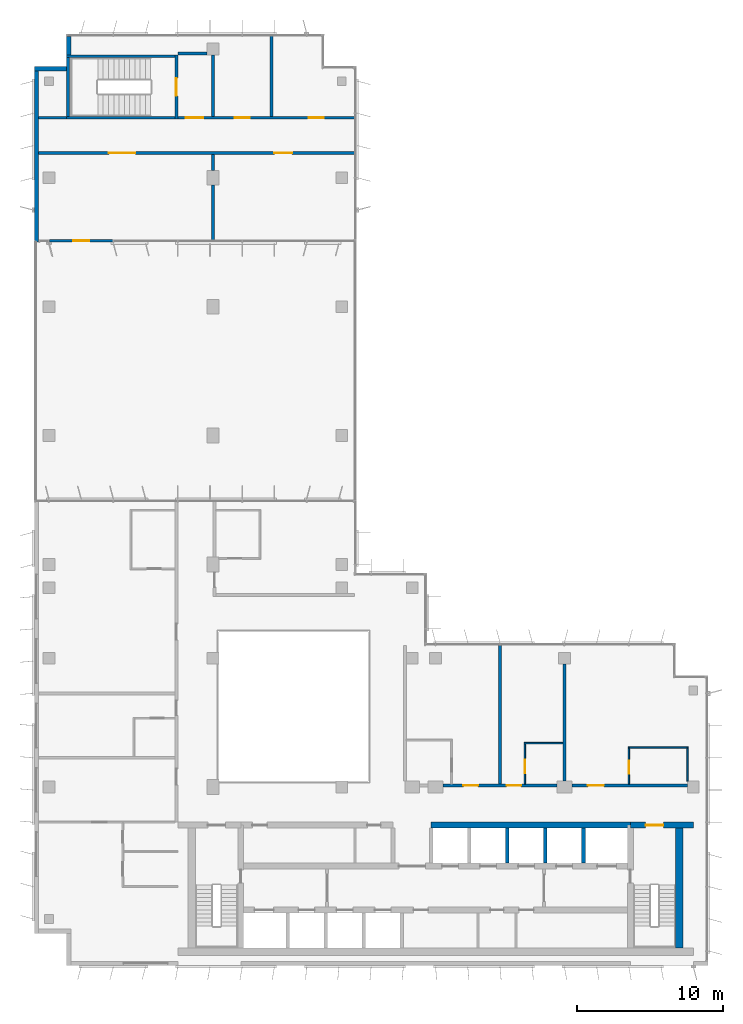
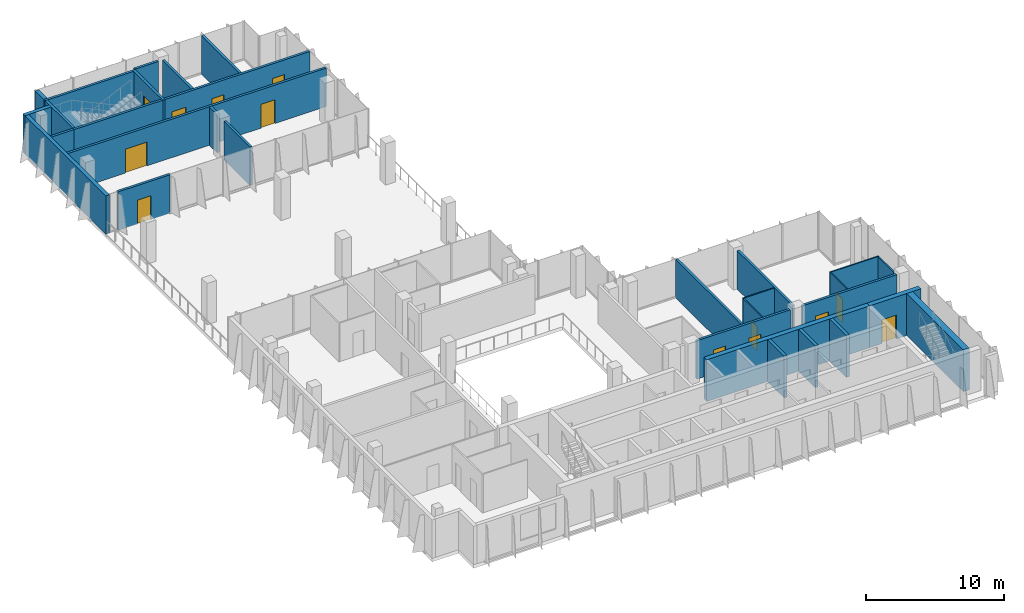
# One storey, part 11 of 15: 31 walls, 13 doors, 13 openings.
"""IFC4 building model written with IfcOpenShell, lengths in metres."""

from ifc_helpers import new_model, si_unit, direction, frame, frame_2d, origin, place, context, subcontext, project, spatial, rectangle, extrude, material, layer, layer_set, type_object, element, fill, save


model = new_model("IFC4")

# Units and contexts
model_context = context("Model", 3, precision=1e-05, world=origin(), true_north=direction((0.0, 1.0)))
body_context = subcontext(model_context, "Body", "Model", "MODEL_VIEW")
ifc_project = project(units=[si_unit("LENGTHUNIT", "METRE"), si_unit("AREAUNIT", "SQUARE_METRE"), si_unit("VOLUMEUNIT", "CUBIC_METRE"), si_unit("PLANEANGLEUNIT", "RADIAN"), si_unit("MASSUNIT", "GRAM", prefix="KILO")], contexts=[model_context])

# Site, building, storey
site_placement = place(None, origin())
site = spatial("IfcSite", under=ifc_project, at=site_placement, CompositionType="ELEMENT")
building_placement = place(site_placement, origin())
building = spatial("IfcBuilding", under=site, at=building_placement, Name="Kemantara Hotel Tower", CompositionType="ELEMENT")
storey_placement = place(building_placement, frame((0.0, 0.0, 241.300048828125)))
storey = spatial("IfcBuildingStorey", under=building, at=storey_placement, Name="L60", CompositionType="ELEMENT", Elevation=241.300048828125)

# Walls
ifc_material_1 = material(Name="Bronze anodised aluminium cladding on insulated steel stud wall", Category="steel")
ifc_layer_1 = layer(ifc_material_1, 0.300048828125)
ifc_layer_set_1 = layer_set([ifc_layer_1], Name="Bronze anodised aluminium cladding on insulated steel stud wall")
wall_type_1 = type_object("IfcWallType", Name="BRONZE METAL-CLAD EXTERNAL WALL 300", PredefinedType="STANDARD", material=ifc_layer_set_1)
wall_1_placement = place(storey_placement, frame((2.35009765625, 63.449951171875, 0.0), z_axis=(0.0, 0.0, 1.0), x_axis=(0.0, -1.0, 0.0)))
element("IfcWall", 1, at=wall_1_placement, inside=storey, type_object=wall_type_1, Name="EXTERNAL WALL L60 T4P-R17", PredefinedType="STANDARD", context=body_context, shape_type="SweptSolid", body=[
    extrude(rectangle(XDim=1.25, YDim=0.300048828125, at=frame_2d((0.625, 0.0))), origin(), (0.0, 0.0, 1.0), 3.39990234375),
])
wall_2_placement = place(storey_placement, frame((2.199951171875, 61.25, 0.0), z_axis=(0.0, 0.0, 1.0), x_axis=(-1.0, 0.0, 0.0)))
element("IfcWall", 2, at=wall_2_placement, inside=storey, type_object=wall_type_1, Name="EXTERNAL WALL L60 T4P-R18", PredefinedType="STANDARD", context=body_context, shape_type="SweptSolid", body=[
    extrude(rectangle(XDim=2.199951171875, YDim=0.300048828125, at=frame_2d((1.10009765625, 0.0))), origin(), (0.0, 0.0, 1.0), 3.39990234375),
])
wall_3_placement = place(storey_placement, frame((0.14990234375, 61.10009765625, 0.0), z_axis=(0.0, 0.0, 1.0), x_axis=(0.0, -1.0, 0.0)))
element("IfcWall", 3, at=wall_3_placement, inside=storey, type_object=wall_type_1, Name="EXTERNAL WALL L60 T4P-R19", PredefinedType="STANDARD", context=body_context, shape_type="SweptSolid", body=[
    extrude(rectangle(XDim=11.7001953125, YDim=0.300048828125, at=frame_2d((5.85009765625, 0.0))), origin(), (0.0, 0.0, 1.0), 3.39990234375),
])
ifc_material_2 = material(Name="Concrete fc 60 MPa", Category="concrete")
ifc_layer_2 = layer(ifc_material_2, 0.25)
ifc_layer_set_2 = layer_set([ifc_layer_2], Name="Concrete fc 60 MPa")
wall_type_2 = type_object("IfcWallType", Name="CORE WALL 250 FC60", PredefinedType="SHEAR", material=ifc_layer_set_2)
for number, where, z_axis, x_axis, name in (
    (4, (32.300048828125, 7.0, 0.0), (0.0, 0.0, 1.0), (0.0, 1.0, 0.0), "CORE WALL CW-DN32.3"),
    (5, (34.89990234375, 7.0, 0.0), (0.0, 0.0, 1.0), (0.0, 1.0, 0.0), "CORE WALL CW-DN34.9"),
    (6, (37.5, 7.0, 0.0), (0.0, 0.0, 1.0), (0.0, 1.0, 0.0), "CORE WALL CW-DN37.5"),
):
    element("IfcWall", number, at=place(storey_placement, frame(where, z_axis=z_axis, x_axis=x_axis)), inside=storey, type_object=wall_type_2, Name=name, PredefinedType="SHEAR", context=body_context, shape_type="SweptSolid", body=[
        extrude(rectangle(XDim=2.39990234375, YDim=0.25, at=frame_2d((1.199951171875, 0.0))), origin(), (0.0, 0.0, 1.0), 3.699951171875),
    ])

# Wall, opening, door
ifc_layer_3 = layer(ifc_material_2, 0.39990234375)
ifc_layer_set_3 = layer_set([ifc_layer_3], Name="Concrete fc 60 MPa")
wall_type_3 = type_object("IfcWallType", Name="CORE WALL 400 FC60", PredefinedType="SHEAR", material=ifc_layer_set_3)
wall_4_placement = place(storey_placement, frame((40.699951171875, 9.60009765625, 0.0), z_axis=(0.0, 0.0, 1.0), x_axis=(1.0, 0.0, 0.0)))
wall_4 = element("IfcWall", 7, at=wall_4_placement, inside=storey, type_object=wall_type_3, Name="CORE WALL CW-N2", PredefinedType="SHEAR", context=body_context, shape_type="SweptSolid", body=[
    extrude(rectangle(XDim=4.300048828125, YDim=0.39990234375, at=frame_2d((2.14990234375, 0.0))), origin(), (0.0, 0.0, 1.0), 3.699951171875),
])
opening_1_placement = place(wall_4_placement, frame((1.050048828125, 0.0, 0.0)))
opening_1 = element("IfcOpeningElement", 8, at=opening_1_placement, cuts=wall_4, Name="Opening C36-ST2-C", PredefinedType="OPENING", context=body_context, shape_type="SweptSolid", body=[
    extrude(rectangle(XDim=1.199951171875, YDim=2.10009765625, at=frame_2d((0.60009765625, 1.050048828125))), frame((0.0, 0.2099609375, 0.0), z_axis=(0.0, -1.0, 0.0), x_axis=(1.0, 0.0, 0.0)), (0.0, 0.0, 1.0), 0.419921875),
])
ifc_material_3 = material(Name="Steel fire door", Category="steel")
door_type_1 = type_object("IfcDoorType", Name="Fire door FD90 1200 x 2100", OperationType="NOTDEFINED", PredefinedType="DOOR", material=ifc_material_3)
door_1_placement = place(opening_1_placement, frame((1.199951171875, 0.0, 0.0), z_axis=(0.0, 0.0, 1.0), x_axis=(-1.0, 0.0, 0.0)))
door_1 = element("IfcDoor", 9, at=door_1_placement, inside=storey, type_object=door_type_1, Name="Stair ST2 door to corridor", OperationType="SINGLE_SWING_RIGHT", OverallHeight=2.10009765625, OverallWidth=1.199951171875, PredefinedType="DOOR", context=body_context, shape_type="SweptSolid", body=[
    extrude(rectangle(XDim=1.199951171875, YDim=2.10009765625, at=frame_2d((0.60009765625, 1.050048828125))), frame((0.0, 0.02490234375, 0.0), z_axis=(0.0, -1.0, 0.0), x_axis=(1.0, 0.0, 0.0)), (0.0, 0.0, 1.0), 0.050048828125),
])
fill(opening_1, door_1)

# Walls
wall_5_placement = place(storey_placement, frame((27.10009765625, 9.60009765625, 0.0), z_axis=(0.0, 0.0, 1.0), x_axis=(1.0, 0.0, 0.0)))
element("IfcWall", 10, at=wall_5_placement, inside=storey, type_object=wall_type_3, Name="CORE WALL CW-NN2", PredefinedType="SHEAR", context=body_context, shape_type="SweptSolid", body=[
    extrude(rectangle(XDim=13.599853515625, YDim=0.39990234375, at=frame_2d((6.7998046875, 0.0))), origin(), (0.0, 0.0, 1.0), 3.699951171875),
])
ifc_layer_4 = layer(ifc_material_2, 0.5)
ifc_layer_set_4 = layer_set([ifc_layer_4], Name="Concrete fc 60 MPa")
wall_type_4 = type_object("IfcWallType", Name="CORE WALL 500 FC60", PredefinedType="SHEAR", material=ifc_layer_set_4)
wall_6_placement = place(storey_placement, frame((44.050048828125, 1.199951171875, 0.0), z_axis=(0.0, 0.0, 1.0), x_axis=(0.0, 1.0, 0.0)))
element("IfcWall", 11, at=wall_6_placement, inside=storey, type_object=wall_type_4, Name="CORE WALL CW-E", PredefinedType="SHEAR", context=body_context, shape_type="SweptSolid", body=[
    extrude(rectangle(XDim=8.60009765625, YDim=0.5, at=frame_2d((4.300048828125, 0.0))), origin(), (0.0, 0.0, 1.0), 3.699951171875),
])

# Wall, openings, doors
ifc_material_4 = material(Name="Gypsum board partition, steel studs and mineral wool, 200 mm", Category="steel")
ifc_layer_5 = layer(ifc_material_4, 0.199951171875)
ifc_layer_set_5 = layer_set([ifc_layer_5], Name="Gypsum board partition, steel studs and mineral wool, 200 mm")
wall_type_5 = type_object("IfcWallType", Name="CORRIDOR WALL 200", PredefinedType="PARTITIONING", material=ifc_layer_set_5)
wall_7_placement = place(storey_placement, frame((27.900146484375, 12.300048828125, 0.0), z_axis=(0.0, 0.0, 1.0), x_axis=(1.0, 0.0, 0.0)))
wall_7 = element("IfcWall", 12, at=wall_7_placement, inside=storey, type_object=wall_type_5, Name="CORRIDOR WALL 200 010", PredefinedType="PARTITIONING", context=body_context, shape_type="SweptSolid", body=[
    extrude(rectangle(XDim=7.7998046875, YDim=0.199951171875, at=frame_2d((3.89990234375, 0.0))), origin(), (0.0, 0.0, 1.0), 3.39990234375),
])
opening_2_placement = place(wall_7_placement, frame((1.39990234375, 0.0, 0.0)))
opening_2 = element("IfcOpeningElement", 13, at=opening_2_placement, cuts=wall_7, Name="Opening F30-001", PredefinedType="OPENING", context=body_context, shape_type="SweptSolid", body=[
    extrude(rectangle(XDim=1.0, YDim=2.10009765625, at=frame_2d((0.5, 1.050048828125))), frame((0.0, 0.10986328125, 0.0), z_axis=(0.0, -1.0, 0.0), x_axis=(1.0, 0.0, 0.0)), (0.0, 0.0, 1.0), 0.219970703125),
])
opening_3_placement = place(wall_7_placement, frame((4.349853515625, 0.0, 0.0)))
opening_3 = element("IfcOpeningElement", 14, at=opening_3_placement, cuts=wall_7, Name="Opening F30-003", PredefinedType="OPENING", context=body_context, shape_type="SweptSolid", body=[
    extrude(rectangle(XDim=1.0, YDim=2.10009765625, at=frame_2d((0.5, 1.050048828125))), frame((0.0, 0.10986328125, 0.0), z_axis=(0.0, -1.0, 0.0), x_axis=(1.0, 0.0, 0.0)), (0.0, 0.0, 1.0), 0.219970703125),
])
ifc_material_5 = material(Name="Hardwood veneer door leaf with steel frame", Category="steel")
door_type_2 = type_object("IfcDoorType", Name="GUEST ROOM DOOR 1000 X 2100 FD30S", OperationType="NOTDEFINED", PredefinedType="DOOR", material=ifc_material_5)
door_2_placement = place(opening_2_placement, origin())
door_2 = element("IfcDoor", 15, at=door_2_placement, inside=storey, type_object=door_type_2, Name="GUEST ROOM DOOR F30-001", OperationType="SINGLE_SWING_RIGHT", OverallHeight=2.10009765625, OverallWidth=1.0, PredefinedType="DOOR", context=body_context, shape_type="SweptSolid", body=[
    extrude(rectangle(XDim=1.0, YDim=2.10009765625, at=frame_2d((0.5, 1.050048828125))), frame((0.0, 0.02490234375, 0.0), z_axis=(0.0, -1.0, 0.0), x_axis=(1.0, 0.0, 0.0)), (0.0, 0.0, 1.0), 0.050048828125),
])
fill(opening_2, door_2)
door_3_placement = place(opening_3_placement, origin())
door_3 = element("IfcDoor", 16, at=door_3_placement, inside=storey, type_object=door_type_2, Name="GUEST ROOM DOOR F30-003", OperationType="SINGLE_SWING_LEFT", OverallHeight=2.10009765625, OverallWidth=1.0, PredefinedType="DOOR", context=body_context, shape_type="SweptSolid", body=[
    extrude(rectangle(XDim=1.0, YDim=2.10009765625, at=frame_2d((0.5, 1.050048828125))), frame((0.0, 0.02490234375, 0.0), z_axis=(0.0, -1.0, 0.0), x_axis=(1.0, 0.0, 0.0)), (0.0, 0.0, 1.0), 0.050048828125),
])
fill(opening_3, door_3)

# Wall, opening, door
wall_8_placement = place(storey_placement, frame((36.7001953125, 12.300048828125, 0.0), z_axis=(0.0, 0.0, 1.0), x_axis=(1.0, 0.0, 0.0)))
wall_8 = element("IfcWall", 17, at=wall_8_placement, inside=storey, type_object=wall_type_5, Name="CORRIDOR WALL 200 011", PredefinedType="PARTITIONING", context=body_context, shape_type="SweptSolid", body=[
    extrude(rectangle(XDim=7.899658203125, YDim=0.199951171875, at=frame_2d((3.94970703125, 0.0))), origin(), (0.0, 0.0, 1.0), 3.39990234375),
])
opening_4_placement = place(wall_8_placement, frame((1.099853515625, 0.0, 0.0)))
opening_4 = element("IfcOpeningElement", 18, at=opening_4_placement, cuts=wall_8, Name="Opening F30-005", PredefinedType="OPENING", context=body_context, shape_type="SweptSolid", body=[
    extrude(rectangle(XDim=1.10009765625, YDim=2.10009765625, at=frame_2d((0.550048828125, 1.050048828125))), frame((0.0, 0.10986328125, 0.0), z_axis=(0.0, -1.0, 0.0), x_axis=(1.0, 0.0, 0.0)), (0.0, 0.0, 1.0), 0.219970703125),
])
door_type_3 = type_object("IfcDoorType", Name="SUITE ENTRANCE DOOR 1100 X 2100 FD30S", OperationType="NOTDEFINED", PredefinedType="DOOR", material=ifc_material_5)
door_4_placement = place(opening_4_placement, origin())
door_4 = element("IfcDoor", 19, at=door_4_placement, inside=storey, type_object=door_type_3, Name="SUITE ENTRANCE DOOR F30-005", OperationType="SINGLE_SWING_LEFT", OverallHeight=2.10009765625, OverallWidth=1.10009765625, PredefinedType="DOOR", context=body_context, shape_type="SweptSolid", body=[
    extrude(rectangle(XDim=1.10009765625, YDim=2.10009765625, at=frame_2d((0.550048828125, 1.050048828125))), frame((0.0, 0.02490234375, 0.0), z_axis=(0.0, -1.0, 0.0), x_axis=(1.0, 0.0, 0.0)), (0.0, 0.0, 1.0), 0.050048828125),
])
fill(opening_4, door_4)

ifc_material_6 = material(Name="Concrete fc 40 MPa", Category="concrete")
ifc_layer_6 = layer(ifc_material_6, 0.199951171875)
ifc_layer_set_6 = layer_set([ifc_layer_6], Name="Concrete fc 40 MPa")
wall_type_6 = type_object("IfcWallType", Name="Concrete stair wall 200 mm", PredefinedType="SHEAR", material=ifc_layer_set_6)
wall_9_placement = place(storey_placement, frame((9.699951171875, 57.800048828125, 0.0), z_axis=(0.0, 0.0, 1.0), x_axis=(0.0, 1.0, 0.0)))
wall_9 = element("IfcWall", 20, at=wall_9_placement, inside=storey, type_object=wall_type_6, Name="Stair ST4 enclosure wall with door", PredefinedType="SHEAR", context=body_context, shape_type="SweptSolid", body=[
    extrude(rectangle(XDim=4.39990234375, YDim=0.199951171875, at=frame_2d((2.199951171875, 0.0))), origin(), (0.0, 0.0, 1.0), 3.39990234375),
])
opening_5_placement = place(wall_9_placement, frame((1.60009765625, 0.0, 0.0)))
opening_5 = element("IfcOpeningElement", 21, at=opening_5_placement, cuts=wall_9, Name="Opening ST4-C", PredefinedType="OPENING", context=body_context, shape_type="SweptSolid", body=[
    extrude(rectangle(XDim=1.199951171875, YDim=2.10009765625, at=frame_2d((0.60009765625, 1.050048828125))), frame((0.0, 0.10986328125, 0.0), z_axis=(0.0, -1.0, 0.0), x_axis=(1.0, 0.0, 0.0)), (0.0, 0.0, 1.0), 0.219970703125),
])
door_5_placement = place(opening_5_placement, origin())
door_5 = element("IfcDoor", 22, at=door_5_placement, inside=storey, type_object=door_type_1, Name="Stair ST4 door", OperationType="SINGLE_SWING_RIGHT", OverallHeight=2.10009765625, OverallWidth=1.199951171875, PredefinedType="DOOR", context=body_context, shape_type="SweptSolid", body=[
    extrude(rectangle(XDim=1.199951171875, YDim=2.10009765625, at=frame_2d((0.60009765625, 1.050048828125))), frame((0.0, 0.02490234375, 0.0), z_axis=(0.0, -1.0, 0.0), x_axis=(1.0, 0.0, 0.0)), (0.0, 0.0, 1.0), 0.050048828125),
])
fill(opening_5, door_5)

# Walls
for number, where, z_axis, x_axis, name in (
    (23, (2.199951171875, 62.10009765625, 0.0), (0.0, 0.0, 1.0), (1.0, 0.0, 0.0), "Stair ST4 enclosure wall N"),
    (24, (2.199951171875, 57.89990234375, 0.0), (0.0, 0.0, 1.0), (1.0, 0.0, 0.0), "Stair ST4 enclosure wall S"),
):
    element("IfcWall", number, at=place(storey_placement, frame(where, z_axis=z_axis, x_axis=x_axis)), inside=storey, type_object=wall_type_6, Name=name, PredefinedType="SHEAR", context=body_context, shape_type="SweptSolid", body=[
        extrude(rectangle(XDim=7.400146484375, YDim=0.199951171875, at=frame_2d((3.7001953125, 0.0))), origin(), (0.0, 0.0, 1.0), 3.39990234375),
    ])
wall_10_placement = place(storey_placement, frame((2.300048828125, 58.0, 0.0), z_axis=(0.0, 0.0, 1.0), x_axis=(0.0, 1.0, 0.0)))
element("IfcWall", 25, at=wall_10_placement, inside=storey, type_object=wall_type_6, Name="Stair ST4 enclosure wall W", PredefinedType="SHEAR", context=body_context, shape_type="SweptSolid", body=[
    extrude(rectangle(XDim=4.0, YDim=0.199951171875, at=frame_2d((2.0, 0.0))), origin(), (0.0, 0.0, 1.0), 3.39990234375),
])
ifc_layer_7 = layer(ifc_material_4, 0.199951171875)
ifc_layer_set_7 = layer_set([ifc_layer_7], Name="Gypsum board partition, steel studs and mineral wool, 200 mm")
wall_type_7 = type_object("IfcWallType", Name="GUEST ROOM PARTY WALL 200", PredefinedType="PARTITIONING", material=ifc_layer_set_7)
wall_11_placement = place(storey_placement, frame((31.800048828125, 12.39990234375, 0.0), z_axis=(0.0, 0.0, 1.0), x_axis=(0.0, 1.0, 0.0)))
element("IfcWall", 26, at=wall_11_placement, inside=storey, type_object=wall_type_7, Name="GUEST ROOM PARTY WALL 200 013", PredefinedType="PARTITIONING", context=body_context, shape_type="SweptSolid", body=[
    extrude(rectangle(XDim=9.47021484375, YDim=0.199951171875, at=frame_2d((4.735107421875, 0.0))), origin(), (0.0, 0.0, 1.0), 3.39990234375),
])
wall_12_placement = place(storey_placement, frame((36.199951171875, 12.60009765625, 0.0), z_axis=(0.0, 0.0, 1.0), x_axis=(0.0, 1.0, 0.0)))
element("IfcWall", 27, at=wall_12_placement, inside=storey, type_object=wall_type_7, Name="GUEST ROOM PARTY WALL 200 014", PredefinedType="PARTITIONING", context=body_context, shape_type="SweptSolid", body=[
    extrude(rectangle(XDim=7.999755859375, YDim=0.199951171875, at=frame_2d((4.0, 0.0))), origin(), (0.0, 0.0, 1.0), 3.39990234375),
])

# Wall, openings, doors
ifc_material_7 = material(Name="Gypsum board partition, steel studs and mineral wool, double layer, 200 mm", Category="steel")
ifc_layer_8 = layer(ifc_material_7, 0.199951171875)
ifc_layer_set_8 = layer_set([ifc_layer_8], Name="Gypsum board partition, steel studs and mineral wool, double layer, 200 mm")
wall_type_8 = type_object("IfcWallType", Name="PLANT ROOM WALL 200", PredefinedType="PARTITIONING", material=ifc_layer_set_8)
wall_13_placement = place(storey_placement, frame((0.300048828125, 55.5, 0.0), z_axis=(0.0, 0.0, 1.0), x_axis=(1.0, 0.0, 0.0)))
wall_13 = element("IfcWall", 28, at=wall_13_placement, inside=storey, type_object=wall_type_8, Name="PLANT ROOM WALL 200 001", PredefinedType="PARTITIONING", context=body_context, shape_type="SweptSolid", body=[
    extrude(rectangle(XDim=21.579833984375, YDim=0.199951171875, at=frame_2d((10.7900390625, 0.0))), origin(), (0.0, 0.0, 1.0), 3.39990234375),
])
opening_6_placement = place(wall_13_placement, frame((4.7998046875, 0.0, 0.0)))
opening_6 = element("IfcOpeningElement", 29, at=opening_6_placement, cuts=wall_13, Name="Opening F30-017", PredefinedType="OPENING", context=body_context, shape_type="SweptSolid", body=[
    extrude(rectangle(XDim=1.800048828125, YDim=2.10009765625, at=frame_2d((0.89990234375, 1.050048828125))), frame((0.0, 0.10986328125, 0.0), z_axis=(0.0, -1.0, 0.0), x_axis=(1.0, 0.0, 0.0)), (0.0, 0.0, 1.0), 0.219970703125),
])
opening_7_placement = place(wall_13_placement, frame((16.099853515625, 0.0, 0.0)))
opening_7 = element("IfcOpeningElement", 30, at=opening_7_placement, cuts=wall_13, Name="Opening F30-018", PredefinedType="OPENING", context=body_context, shape_type="SweptSolid", body=[
    extrude(rectangle(XDim=1.199951171875, YDim=2.10009765625, at=frame_2d((0.60009765625, 1.050048828125))), frame((0.0, 0.10986328125, 0.0), z_axis=(0.0, -1.0, 0.0), x_axis=(1.0, 0.0, 0.0)), (0.0, 0.0, 1.0), 0.219970703125),
])
ifc_material_8 = material(Name="Steel door leaf with steel frame", Category="steel")
door_type_4 = type_object("IfcDoorType", Name="SERVICE ROOM DOOR 1200 X 2100 FD60", OperationType="NOTDEFINED", PredefinedType="DOOR", material=ifc_material_8)
door_6_placement = place(opening_7_placement, origin())
door_6 = element("IfcDoor", 31, at=door_6_placement, inside=storey, type_object=door_type_4, Name="SERVICE ROOM DOOR F30-018", OperationType="SINGLE_SWING_LEFT", OverallHeight=2.10009765625, OverallWidth=1.199951171875, PredefinedType="DOOR", context=body_context, shape_type="SweptSolid", body=[
    extrude(rectangle(XDim=1.199951171875, YDim=2.10009765625, at=frame_2d((0.60009765625, 1.050048828125))), frame((0.0, 0.02490234375, 0.0), z_axis=(0.0, -1.0, 0.0), x_axis=(1.0, 0.0, 0.0)), (0.0, 0.0, 1.0), 0.050048828125),
])
fill(opening_7, door_6)
door_type_5 = type_object("IfcDoorType", Name="SERVICE ROOM DOOR 1800 X 2100 FD60", OperationType="NOTDEFINED", PredefinedType="DOOR", material=ifc_material_8)
door_7_placement = place(opening_6_placement, origin())
door_7 = element("IfcDoor", 32, at=door_7_placement, inside=storey, type_object=door_type_5, Name="SERVICE ROOM DOOR F30-017", OperationType="DOUBLE_DOOR_SINGLE_SWING", OverallHeight=2.10009765625, OverallWidth=1.800048828125, PredefinedType="DOOR", context=body_context, shape_type="SweptSolid", body=[
    extrude(rectangle(XDim=1.800048828125, YDim=2.10009765625, at=frame_2d((0.89990234375, 1.050048828125))), frame((0.0, 0.02490234375, 0.0), z_axis=(0.0, -1.0, 0.0), x_axis=(1.0, 0.0, 0.0)), (0.0, 0.0, 1.0), 0.050048828125),
])
fill(opening_6, door_7)

# Walls
wall_14_placement = place(storey_placement, frame((12.199951171875, 49.52001953125, 0.0), z_axis=(0.0, 0.0, 1.0), x_axis=(0.0, 1.0, 0.0)))
element("IfcWall", 33, at=wall_14_placement, inside=storey, type_object=wall_type_8, Name="PLANT ROOM WALL 200 002", PredefinedType="PARTITIONING", context=body_context, shape_type="SweptSolid", body=[
    extrude(rectangle(XDim=3.77978515625, YDim=0.199951171875, at=frame_2d((1.889892578125, 0.0))), origin(), (0.0, 0.0, 1.0), 3.39990234375),
])
wall_15_placement = place(storey_placement, frame((12.199951171875, 54.300048828125, 0.0), z_axis=(0.0, 0.0, 1.0), x_axis=(0.0, 1.0, 0.0)))
element("IfcWall", 34, at=wall_15_placement, inside=storey, type_object=wall_type_8, Name="PLANT ROOM WALL 200 003", PredefinedType="PARTITIONING", context=body_context, shape_type="SweptSolid", body=[
    extrude(rectangle(XDim=1.099853515625, YDim=0.199951171875, at=frame_2d((0.5498046875, 0.0))), origin(), (0.0, 0.0, 1.0), 3.39990234375),
])
wall_16_placement = place(storey_placement, frame((12.199951171875, 58.0, 0.0), z_axis=(0.0, 0.0, 1.0), x_axis=(0.0, 1.0, 0.0)))
element("IfcWall", 35, at=wall_16_placement, inside=storey, type_object=wall_type_8, Name="PLANT ROOM WALL 200 004", PredefinedType="PARTITIONING", context=body_context, shape_type="SweptSolid", body=[
    extrude(rectangle(XDim=4.199951171875, YDim=0.199951171875, at=frame_2d((2.10009765625, 0.0))), origin(), (0.0, 0.0, 1.0), 3.39990234375),
])
wall_17_placement = place(storey_placement, frame((0.300048828125, 57.89990234375, 0.0), z_axis=(0.0, 0.0, 1.0), x_axis=(1.0, 0.0, 0.0)))
element("IfcWall", 36, at=wall_17_placement, inside=storey, type_object=wall_type_8, Name="PLANT ROOM WALL 200 005", PredefinedType="PARTITIONING", context=body_context, shape_type="SweptSolid", body=[
    extrude(rectangle(XDim=1.89990234375, YDim=0.199951171875, at=frame_2d((0.949951171875, 0.0))), origin(), (0.0, 0.0, 1.0), 3.39990234375),
])

# Wall, openings, doors
wall_18_placement = place(storey_placement, frame((21.8798828125, 57.89990234375, 0.0), z_axis=(0.0, 0.0, 1.0), x_axis=(-1.0, 0.0, 0.0)))
wall_18 = element("IfcWall", 37, at=wall_18_placement, inside=storey, type_object=wall_type_8, Name="PLANT ROOM WALL 200 006", PredefinedType="PARTITIONING", context=body_context, shape_type="SweptSolid", body=[
    extrude(rectangle(XDim=12.079833984375, YDim=0.199951171875, at=frame_2d((6.0400390625, 0.0))), origin(), (0.0, 0.0, 1.0), 3.39990234375),
])
opening_8_placement = place(wall_18_placement, frame((10.329833984375, 0.0, 0.0)))
opening_8 = element("IfcOpeningElement", 38, at=opening_8_placement, cuts=wall_18, Name="Opening F30-019", PredefinedType="OPENING", context=body_context, shape_type="SweptSolid", body=[
    extrude(rectangle(XDim=1.199951171875, YDim=2.10009765625, at=frame_2d((0.60009765625, 1.050048828125))), frame((0.0, 0.10986328125, 0.0), z_axis=(0.0, -1.0, 0.0), x_axis=(1.0, 0.0, 0.0)), (0.0, 0.0, 1.0), 0.219970703125),
])
opening_9_placement = place(wall_18_placement, frame((7.179931640625, 0.0, 0.0)))
opening_9 = element("IfcOpeningElement", 39, at=opening_9_placement, cuts=wall_18, Name="Opening F30-020", PredefinedType="OPENING", context=body_context, shape_type="SweptSolid", body=[
    extrude(rectangle(XDim=1.0, YDim=2.10009765625, at=frame_2d((0.5, 1.050048828125))), frame((0.0, 0.10986328125, 0.0), z_axis=(0.0, -1.0, 0.0), x_axis=(1.0, 0.0, 0.0)), (0.0, 0.0, 1.0), 0.219970703125),
])
opening_10_placement = place(wall_18_placement, frame((2.1298828125, 0.0, 0.0)))
opening_10 = element("IfcOpeningElement", 40, at=opening_10_placement, cuts=wall_18, Name="Opening F30-021", PredefinedType="OPENING", context=body_context, shape_type="SweptSolid", body=[
    extrude(rectangle(XDim=1.0, YDim=2.10009765625, at=frame_2d((0.5, 1.050048828125))), frame((0.0, 0.10986328125, 0.0), z_axis=(0.0, -1.0, 0.0), x_axis=(1.0, 0.0, 0.0)), (0.0, 0.0, 1.0), 0.219970703125),
])
door_type_6 = type_object("IfcDoorType", Name="SERVICE ROOM DOOR 1000 X 2100 FD60", OperationType="NOTDEFINED", PredefinedType="DOOR", material=ifc_material_8)
door_8_placement = place(opening_9_placement, origin())
door_8 = element("IfcDoor", 41, at=door_8_placement, inside=storey, type_object=door_type_6, Name="SERVICE ROOM DOOR F30-020", OperationType="SINGLE_SWING_RIGHT", OverallHeight=2.10009765625, OverallWidth=1.0, PredefinedType="DOOR", context=body_context, shape_type="SweptSolid", body=[
    extrude(rectangle(XDim=1.0, YDim=2.10009765625, at=frame_2d((0.5, 1.050048828125))), frame((0.0, 0.02490234375, 0.0), z_axis=(0.0, -1.0, 0.0), x_axis=(1.0, 0.0, 0.0)), (0.0, 0.0, 1.0), 0.050048828125),
])
fill(opening_9, door_8)
door_9_placement = place(opening_10_placement, origin())
door_9 = element("IfcDoor", 42, at=door_9_placement, inside=storey, type_object=door_type_6, Name="SERVICE ROOM DOOR F30-021", OperationType="SINGLE_SWING_RIGHT", OverallHeight=2.10009765625, OverallWidth=1.0, PredefinedType="DOOR", context=body_context, shape_type="SweptSolid", body=[
    extrude(rectangle(XDim=1.0, YDim=2.10009765625, at=frame_2d((0.5, 1.050048828125))), frame((0.0, 0.02490234375, 0.0), z_axis=(0.0, -1.0, 0.0), x_axis=(1.0, 0.0, 0.0)), (0.0, 0.0, 1.0), 0.050048828125),
])
fill(opening_10, door_9)
door_10_placement = place(opening_8_placement, origin())
door_10 = element("IfcDoor", 43, at=door_10_placement, inside=storey, type_object=door_type_4, Name="SERVICE ROOM DOOR F30-019", OperationType="SINGLE_SWING_RIGHT", OverallHeight=2.10009765625, OverallWidth=1.199951171875, PredefinedType="DOOR", context=body_context, shape_type="SweptSolid", body=[
    extrude(rectangle(XDim=1.199951171875, YDim=2.10009765625, at=frame_2d((0.60009765625, 1.050048828125))), frame((0.0, 0.02490234375, 0.0), z_axis=(0.0, -1.0, 0.0), x_axis=(1.0, 0.0, 0.0)), (0.0, 0.0, 1.0), 0.050048828125),
])
fill(opening_8, door_10)

# Walls
wall_19_placement = place(storey_placement, frame((16.199951171875, 58.0, 0.0), z_axis=(0.0, 0.0, 1.0), x_axis=(0.0, 1.0, 0.0)))
element("IfcWall", 44, at=wall_19_placement, inside=storey, type_object=wall_type_8, Name="PLANT ROOM WALL 200 007", PredefinedType="PARTITIONING", context=body_context, shape_type="SweptSolid", body=[
    extrude(rectangle(XDim=5.47998046875, YDim=0.199951171875, at=frame_2d((2.739990234375, 0.0))), origin(), (0.0, 0.0, 1.0), 3.39990234375),
])
wall_20_placement = place(storey_placement, frame((9.800048828125, 62.300048828125, 0.0), z_axis=(0.0, 0.0, 1.0), x_axis=(1.0, 0.0, 0.0)))
element("IfcWall", 45, at=wall_20_placement, inside=storey, type_object=wall_type_8, Name="PLANT ROOM WALL 200 008", PredefinedType="PARTITIONING", context=body_context, shape_type="SweptSolid", body=[
    extrude(rectangle(XDim=1.999755859375, YDim=0.199951171875, at=frame_2d((1.0, 0.0))), origin(), (0.0, 0.0, 1.0), 3.39990234375),
])
ifc_material_9 = material(Name="Gypsum board partition on steel studs, 100 mm", Category="steel")
ifc_layer_9 = layer(ifc_material_9, 0.10009765625)
ifc_layer_set_9 = layer_set([ifc_layer_9], Name="Gypsum board partition on steel studs, 100 mm")
wall_type_9 = type_object("IfcWallType", Name="ROOM PARTITION 100", PredefinedType="PARTITIONING", material=ifc_layer_set_9)
wall_21_placement = place(storey_placement, frame((33.449951171875, 15.199951171875, 0.0), z_axis=(0.0, 0.0, 1.0), x_axis=(1.0, 0.0, 0.0)))
element("IfcWall", 46, at=wall_21_placement, inside=storey, type_object=wall_type_9, Name="ROOM PARTITION 100 023", PredefinedType="PARTITIONING", context=body_context, shape_type="SweptSolid", body=[
    extrude(rectangle(XDim=2.650146484375, YDim=0.10009765625, at=frame_2d((1.3251953125, 0.0))), origin(), (0.0, 0.0, 1.0), 3.39990234375),
])

# Wall, opening, door
wall_22_placement = place(storey_placement, frame((33.5, 15.14990234375, 0.0), z_axis=(0.0, 0.0, 1.0), x_axis=(0.0, -1.0, 0.0)))
wall_22 = element("IfcWall", 47, at=wall_22_placement, inside=storey, type_object=wall_type_9, Name="ROOM PARTITION 100 024", PredefinedType="PARTITIONING", context=body_context, shape_type="SweptSolid", body=[
    extrude(rectangle(XDim=2.75, YDim=0.10009765625, at=frame_2d((1.375, 0.0))), origin(), (0.0, 0.0, 1.0), 3.39990234375),
])
opening_11_placement = place(wall_22_placement, frame((1.10009765625, 0.0, 0.0)))
opening_11 = element("IfcOpeningElement", 48, at=opening_11_placement, cuts=wall_22, Name="Opening F30-004", PredefinedType="OPENING", context=body_context, shape_type="SweptSolid", body=[
    extrude(rectangle(XDim=0.89990234375, YDim=2.10009765625, at=frame_2d((0.449951171875, 1.050048828125))), frame((0.0, 0.06005859375, 0.0), z_axis=(0.0, -1.0, 0.0), x_axis=(1.0, 0.0, 0.0)), (0.0, 0.0, 1.0), 0.1201171875),
])
door_type_7 = type_object("IfcDoorType", Name="BATHROOM DOOR 900 X 2100", OperationType="NOTDEFINED", PredefinedType="DOOR", material=ifc_material_5)
door_11_placement = place(opening_11_placement, origin())
door_11 = element("IfcDoor", 49, at=door_11_placement, inside=storey, type_object=door_type_7, Name="BATHROOM DOOR F30-004", OperationType="SINGLE_SWING_RIGHT", OverallHeight=2.10009765625, OverallWidth=0.89990234375, PredefinedType="DOOR", context=body_context, shape_type="SweptSolid", body=[
    extrude(rectangle(XDim=0.89990234375, YDim=2.10009765625, at=frame_2d((0.449951171875, 1.050048828125))), frame((0.0, 0.02490234375, 0.0), z_axis=(0.0, -1.0, 0.0), x_axis=(1.0, 0.0, 0.0)), (0.0, 0.0, 1.0), 0.050048828125),
])
fill(opening_11, door_11)

# Wall
wall_23_placement = place(storey_placement, frame((40.550048828125, 14.89990234375, 0.0), z_axis=(0.0, 0.0, 1.0), x_axis=(1.0, 0.0, 0.0)))
element("IfcWall", 50, at=wall_23_placement, inside=storey, type_object=wall_type_9, Name="ROOM PARTITION 100 025", PredefinedType="PARTITIONING", context=body_context, shape_type="SweptSolid", body=[
    extrude(rectangle(XDim=4.099853515625, YDim=0.10009765625, at=frame_2d((2.0498046875, 0.0))), origin(), (0.0, 0.0, 1.0), 3.39990234375),
])

# Wall, opening, door
wall_24_placement = place(storey_placement, frame((40.60009765625, 14.85009765625, 0.0), z_axis=(0.0, 0.0, 1.0), x_axis=(0.0, -1.0, 0.0)))
wall_24 = element("IfcWall", 51, at=wall_24_placement, inside=storey, type_object=wall_type_9, Name="ROOM PARTITION 100 026", PredefinedType="PARTITIONING", context=body_context, shape_type="SweptSolid", body=[
    extrude(rectangle(XDim=2.4501953125, YDim=0.10009765625, at=frame_2d((1.22509765625, 0.0))), origin(), (0.0, 0.0, 1.0), 3.39990234375),
])
opening_12_placement = place(wall_24_placement, frame((0.85009765625, 0.0, 0.0)))
opening_12 = element("IfcOpeningElement", 52, at=opening_12_placement, cuts=wall_24, Name="Opening F30-006", PredefinedType="OPENING", context=body_context, shape_type="SweptSolid", body=[
    extrude(rectangle(XDim=0.89990234375, YDim=2.10009765625, at=frame_2d((0.449951171875, 1.050048828125))), frame((0.0, 0.06005859375, 0.0), z_axis=(0.0, -1.0, 0.0), x_axis=(1.0, 0.0, 0.0)), (0.0, 0.0, 1.0), 0.1201171875),
])
door_12_placement = place(opening_12_placement, origin())
door_12 = element("IfcDoor", 53, at=door_12_placement, inside=storey, type_object=door_type_7, Name="BATHROOM DOOR F30-006", OperationType="SINGLE_SWING_RIGHT", OverallHeight=2.10009765625, OverallWidth=0.89990234375, PredefinedType="DOOR", context=body_context, shape_type="SweptSolid", body=[
    extrude(rectangle(XDim=0.89990234375, YDim=2.10009765625, at=frame_2d((0.449951171875, 1.050048828125))), frame((0.0, 0.02490234375, 0.0), z_axis=(0.0, -1.0, 0.0), x_axis=(1.0, 0.0, 0.0)), (0.0, 0.0, 1.0), 0.050048828125),
])
fill(opening_12, door_12)

# Wall
wall_25_placement = place(storey_placement, frame((44.60009765625, 12.60009765625, 0.0), z_axis=(0.0, 0.0, 1.0), x_axis=(0.0, 1.0, 0.0)))
element("IfcWall", 54, at=wall_25_placement, inside=storey, type_object=wall_type_9, Name="ROOM PARTITION 100 027", PredefinedType="PARTITIONING", context=body_context, shape_type="SweptSolid", body=[
    extrude(rectangle(XDim=2.25, YDim=0.10009765625, at=frame_2d((1.125, 0.0))), origin(), (0.0, 0.0, 1.0), 3.39990234375),
])

# Wall, opening, door
ifc_material_10 = material(Name="Bronze ceramic cladding on insulated steel stud wall", Category="steel")
ifc_layer_10 = layer(ifc_material_10, 0.199951171875)
ifc_layer_set_10 = layer_set([ifc_layer_10], Name="Bronze ceramic cladding on insulated steel stud wall")
wall_type_10 = type_object("IfcWallType", Name="SERVICE DOOR BAY WALL 200", PredefinedType="STANDARD", material=ifc_layer_set_10)
wall_26_placement = place(storey_placement, frame((1.030029296875, 49.5, 0.0), z_axis=(0.0, 0.0, 1.0), x_axis=(1.0, 0.0, 0.0)))
wall_26 = element("IfcWall", 55, at=wall_26_placement, inside=storey, type_object=wall_type_10, Name="SERVICE DOOR BAY WALL L60 T4P-R12-1", PredefinedType="STANDARD", context=body_context, shape_type="SweptSolid", body=[
    extrude(rectangle(XDim=4.340087890625, YDim=0.199951171875, at=frame_2d((2.169921875, 0.0))), origin(), (0.0, 0.0, 1.0), 3.39990234375),
])
opening_13_placement = place(wall_26_placement, frame((1.6201171875, 0.0, 0.0)))
opening_13 = element("IfcOpeningElement", 56, at=opening_13_placement, cuts=wall_26, Name="Opening SD-L60-01", PredefinedType="OPENING", context=body_context, shape_type="SweptSolid", body=[
    extrude(rectangle(XDim=1.10009765625, YDim=2.10009765625, at=frame_2d((0.550048828125, 1.050048828125))), frame((0.0, 0.10986328125, 0.0), z_axis=(0.0, -1.0, 0.0), x_axis=(1.0, 0.0, 0.0)), (0.0, 0.0, 1.0), 0.219970703125),
])
ifc_material_11 = material(Name="Painted steel door leaf in steel frame", Category="steel")
door_type_8 = type_object("IfcDoorType", Name="SERVICE DOOR, STEEL 1100x2100", OperationType="SINGLE_SWING_LEFT", PredefinedType="DOOR", material=ifc_material_11)
door_13_placement = place(opening_13_placement, origin())
door_13 = element("IfcDoor", 57, at=door_13_placement, inside=storey, type_object=door_type_8, Name="SERVICE DOOR L60 T4P-R12-1", OperationType="SINGLE_SWING_LEFT", OverallHeight=2.10009765625, OverallWidth=1.10009765625, PredefinedType="DOOR", context=body_context, shape_type="SweptSolid", body=[
    extrude(rectangle(XDim=1.10009765625, YDim=2.10009765625, at=frame_2d((0.550048828125, 1.050048828125))), frame((0.0, 0.02490234375, 0.0), z_axis=(0.0, -1.0, 0.0), x_axis=(1.0, 0.0, 0.0)), (0.0, 0.0, 1.0), 0.050048828125),
])
fill(opening_13, door_13)

save(model, "model.ifc")
